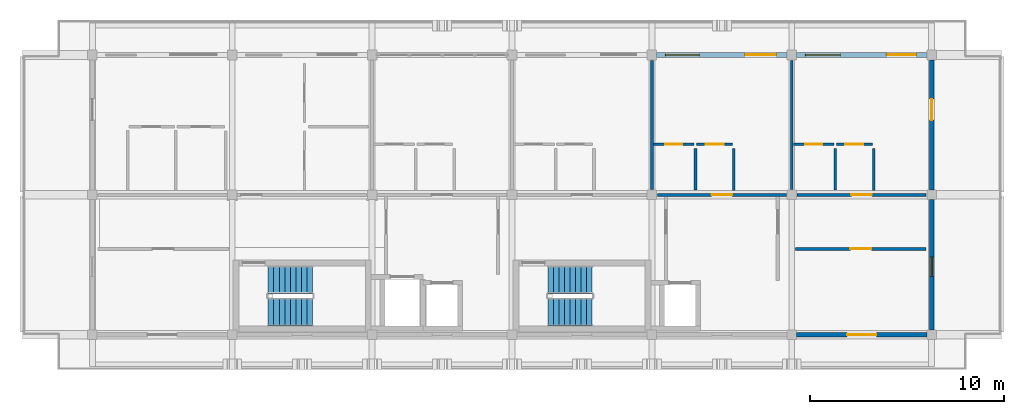
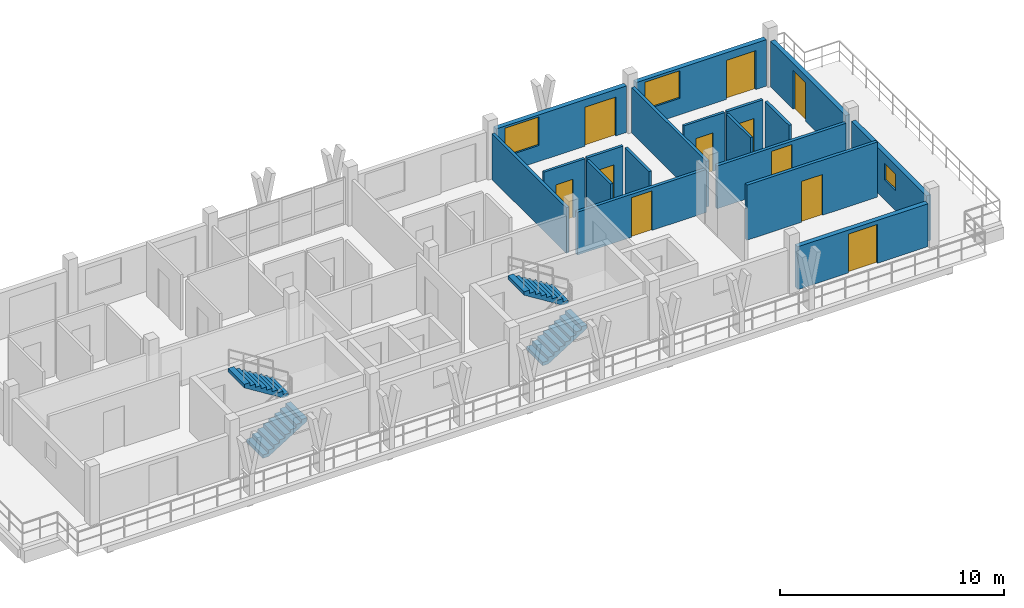
# One storey, part 6 of 9: 18 walls, 11 doors, 4 stair flights, 3 windows, 14 openings, 2 elements without a shape of their own.
"""IFC4 building model written with IfcOpenShell, lengths in metres."""

from ifc_helpers import new_model, si_unit, direction, frame, frame_2d, origin, place, context, subcontext, project, spatial, polyline, rectangle, outline, extrude, material, layer, layer_set, type_object, element, fill, aggregate, save


model = new_model("IFC4")

# Units and contexts
model_context = context("Model", 3, precision=1e-05, world=origin(), true_north=direction((0.0, 1.0)))
body_context = subcontext(model_context, "Body", "Model", "MODEL_VIEW")
ifc_project = project(units=[si_unit("LENGTHUNIT", "METRE"), si_unit("AREAUNIT", "SQUARE_METRE"), si_unit("VOLUMEUNIT", "CUBIC_METRE"), si_unit("PLANEANGLEUNIT", "RADIAN"), si_unit("MASSUNIT", "GRAM", prefix="KILO")], contexts=[model_context])

# Site, building, storey
site_placement = place(None, origin())
site = spatial("IfcSite", under=ifc_project, at=site_placement, CompositionType="ELEMENT")
building_placement = place(site_placement, origin())
building = spatial("IfcBuilding", under=site, at=building_placement, Name="Suanplinth Sawtooth Commons", CompositionType="ELEMENT")
storey_placement = place(building_placement, frame((0.0, 0.0, 47.699951171875)))
storey = spatial("IfcBuildingStorey", under=building, at=storey_placement, Name="L14", CompositionType="ELEMENT", Elevation=47.699951171875)

# Wall, openings, door, window
ifc_material_1 = material(Name="Precast concrete C40/50", Category="concrete")
ifc_layer_1 = layer(ifc_material_1, 0.239990234375, Name="Upper insulated precast facade wall 240mm")
ifc_layer_set_1 = layer_set([ifc_layer_1], Name="Precast concrete C40/50")
wall_type_1 = type_object("IfcWallType", Name="W-EX03", PredefinedType="ELEMENTEDWALL", material=ifc_layer_set_1)
wall_1_placement = place(storey_placement, frame((65.050048828125, 122.39990234375, 0.0), z_axis=(0.0, 0.0, 1.0), x_axis=(1.0, 0.0, 0.0)))
wall_1 = element("IfcWall", 1, at=wall_1_placement, inside=storey, type_object=wall_type_1, Name="Facade Wall W-L14-A-N-4", PredefinedType="ELEMENTEDWALL", context=body_context, shape_type="SweptSolid", body=[
    extrude(rectangle(XDim=6.699951171875, YDim=0.239990234375, at=frame_2d((3.35009765625, 0.0))), origin(), (0.0, 0.0, 1.0), 2.53515625),
])
opening_1_placement = place(wall_1_placement, frame((4.550048828125, 0.0, 0.0)))
opening_1 = element("IfcOpeningElement", 2, at=opening_1_placement, cuts=wall_1, Name="Opening ED0849", PredefinedType="OPENING", context=body_context, shape_type="SweptSolid", body=[
    extrude(rectangle(XDim=1.60009765625, YDim=2.1201171875, at=frame_2d((0.800048828125, 1.06005859375))), frame((0.0, 0.134765625, 0.0), z_axis=(0.0, -1.0, 0.0), x_axis=(1.0, 0.0, 0.0)), (0.0, 0.0, 1.0), 0.269775390625),
])
opening_2_placement = place(wall_1_placement, frame((0.449951171875, 0.0, 0.875)))
opening_2 = element("IfcOpeningElement", 3, at=opening_2_placement, cuts=wall_1, Name="Opening W0933", PredefinedType="OPENING", context=body_context, shape_type="SweptSolid", body=[
    extrude(rectangle(XDim=1.75, YDim=1.550048828125, at=frame_2d((0.875, 0.77490234375))), frame((0.0, 0.134765625, 0.0), z_axis=(0.0, -1.0, 0.0), x_axis=(1.0, 0.0, 0.0)), (0.0, 0.0, 1.0), 0.269775390625),
])
ifc_material_2 = material(Name="Anodized aluminium and low-E glass", Category="aluminium")
door_type_1 = type_object("IfcDoorType", Name="SD-02", OperationType="SLIDING_TO_RIGHT", PredefinedType="DOOR", material=ifc_material_2)
door_1_placement = place(opening_1_placement, frame((1.60009765625, 0.0, 0.0), z_axis=(0.0, 0.0, 1.0), x_axis=(-1.0, 0.0, 0.0)))
door_1 = element("IfcDoor", 4, at=door_1_placement, inside=storey, type_object=door_type_1, Name="Balcony Sliding Door L14-A-N-4", OperationType="SLIDING_TO_RIGHT", OverallHeight=2.1201171875, OverallWidth=1.60009765625, PredefinedType="DOOR", context=body_context, shape_type="SweptSolid", body=[
    extrude(rectangle(XDim=1.60009765625, YDim=2.1201171875, at=frame_2d((0.800048828125, 1.06005859375))), frame((0.0, 0.02490234375, 0.0), z_axis=(0.0, -1.0, 0.0), x_axis=(1.0, 0.0, 0.0)), (0.0, 0.0, 1.0), 0.050048828125),
])
fill(opening_1, door_1)
ifc_material_3 = material(Name="Thermally broken aluminium and low-E double glazing", Category="aluminium")
window_type_1 = type_object("IfcWindowType", Name="WN-26", PartitioningType="DOUBLE_PANEL_VERTICAL", PredefinedType="WINDOW", material=ifc_material_3)
window_1_placement = place(opening_2_placement, origin())
window_1 = element("IfcWindow", 5, at=window_1_placement, inside=storey, type_object=window_type_1, Name="Window L14-A-N-4", OverallHeight=1.550048828125, OverallWidth=1.75, PartitioningType="DOUBLE_PANEL_VERTICAL", PredefinedType="WINDOW", context=body_context, shape_type="SweptSolid", body=[
    extrude(rectangle(XDim=1.75, YDim=1.550048828125, at=frame_2d((0.875, 0.77490234375))), frame((0.0, 0.030029296875, 0.0), z_axis=(0.0, -1.0, 0.0), x_axis=(1.0, 0.0, 0.0)), (0.0, 0.0, 1.0), 0.06005859375),
])
fill(opening_2, window_1)

wall_2_placement = place(storey_placement, frame((72.25, 122.39990234375, 0.0), z_axis=(0.0, 0.0, 1.0), x_axis=(1.0, 0.0, 0.0)))
wall_2 = element("IfcWall", 6, at=wall_2_placement, inside=storey, type_object=wall_type_1, Name="Facade Wall W-L14-A-N-5", PredefinedType="ELEMENTEDWALL", context=body_context, shape_type="SweptSolid", body=[
    extrude(rectangle(XDim=6.699951171875, YDim=0.239990234375, at=frame_2d((3.35009765625, 0.0))), origin(), (0.0, 0.0, 1.0), 2.53515625),
])
opening_3_placement = place(wall_2_placement, frame((4.64990234375, 0.0, 0.0)))
opening_3 = element("IfcOpeningElement", 7, at=opening_3_placement, cuts=wall_2, Name="Opening ED0850", PredefinedType="OPENING", context=body_context, shape_type="SweptSolid", body=[
    extrude(rectangle(XDim=1.5, YDim=2.1201171875, at=frame_2d((0.75, 1.06005859375))), frame((0.0, 0.134765625, 0.0), z_axis=(0.0, -1.0, 0.0), x_axis=(1.0, 0.0, 0.0)), (0.0, 0.0, 1.0), 0.269775390625),
])
opening_4_placement = place(wall_2_placement, frame((0.449951171875, 0.0, 0.89990234375)))
opening_4 = element("IfcOpeningElement", 8, at=opening_4_placement, cuts=wall_2, Name="Opening W0935", PredefinedType="OPENING", context=body_context, shape_type="SweptSolid", body=[
    extrude(rectangle(XDim=1.800048828125, YDim=1.5, at=frame_2d((0.89990234375, 0.75))), frame((0.0, 0.134765625, 0.0), z_axis=(0.0, -1.0, 0.0), x_axis=(1.0, 0.0, 0.0)), (0.0, 0.0, 1.0), 0.269775390625),
])
door_type_2 = type_object("IfcDoorType", Name="SD-03", OperationType="SLIDING_TO_LEFT", PredefinedType="DOOR", material=ifc_material_2)
door_2_placement = place(opening_3_placement, frame((1.5, 0.0, 0.0), z_axis=(0.0, 0.0, 1.0), x_axis=(-1.0, 0.0, 0.0)))
door_2 = element("IfcDoor", 9, at=door_2_placement, inside=storey, type_object=door_type_2, Name="Balcony Sliding Door L14-A-N-5", OperationType="SLIDING_TO_LEFT", OverallHeight=2.1201171875, OverallWidth=1.5, PredefinedType="DOOR", context=body_context, shape_type="SweptSolid", body=[
    extrude(rectangle(XDim=1.5, YDim=2.1201171875, at=frame_2d((0.75, 1.06005859375))), frame((0.0, 0.02490234375, 0.0), z_axis=(0.0, -1.0, 0.0), x_axis=(1.0, 0.0, 0.0)), (0.0, 0.0, 1.0), 0.050048828125),
])
fill(opening_3, door_2)
window_type_2 = type_object("IfcWindowType", Name="WN-01", PartitioningType="DOUBLE_PANEL_VERTICAL", PredefinedType="WINDOW", material=ifc_material_3)
window_2_placement = place(opening_4_placement, origin())
window_2 = element("IfcWindow", 10, at=window_2_placement, inside=storey, type_object=window_type_2, Name="Window L14-A-N-5", OverallHeight=1.5, OverallWidth=1.800048828125, PartitioningType="DOUBLE_PANEL_VERTICAL", PredefinedType="WINDOW", context=body_context, shape_type="SweptSolid", body=[
    extrude(rectangle(XDim=1.800048828125, YDim=1.5, at=frame_2d((0.89990234375, 0.75))), frame((0.0, 0.030029296875, 0.0), z_axis=(0.0, -1.0, 0.0), x_axis=(1.0, 0.0, 0.0)), (0.0, 0.0, 1.0), 0.06005859375),
])
fill(opening_4, window_2)

# Wall, opening, door
wall_3_placement = place(storey_placement, frame((72.25, 108.0, 0.0), z_axis=(0.0, 0.0, 1.0), x_axis=(1.0, 0.0, 0.0)))
wall_3 = element("IfcWall", 11, at=wall_3_placement, inside=storey, type_object=wall_type_1, Name="Courtyard Wall W-L14-A-S-5", PredefinedType="ELEMENTEDWALL", context=body_context, shape_type="SweptSolid", body=[
    extrude(rectangle(XDim=6.699951171875, YDim=0.239990234375, at=frame_2d((3.35009765625, 0.0))), origin(), (0.0, 0.0, 1.0), 2.3349609375),
])
opening_5_placement = place(wall_3_placement, frame((2.60009765625, 0.0, 0.0)))
opening_5 = element("IfcOpeningElement", 12, at=opening_5_placement, cuts=wall_3, Name="Opening ED0851", PredefinedType="OPENING", context=body_context, shape_type="SweptSolid", body=[
    extrude(rectangle(XDim=1.5, YDim=2.1201171875, at=frame_2d((0.75, 1.06005859375))), frame((0.0, 0.134765625, 0.0), z_axis=(0.0, -1.0, 0.0), x_axis=(1.0, 0.0, 0.0)), (0.0, 0.0, 1.0), 0.269775390625),
])
door_3_placement = place(opening_5_placement, frame((1.5, 0.0, 0.0), z_axis=(0.0, 0.0, 1.0), x_axis=(-1.0, 0.0, 0.0)))
door_3 = element("IfcDoor", 13, at=door_3_placement, inside=storey, type_object=door_type_2, Name="Courtyard Balcony Sliding Door L14-A-S-5", OperationType="SLIDING_TO_LEFT", OverallHeight=2.1201171875, OverallWidth=1.5, PredefinedType="DOOR", context=body_context, shape_type="SweptSolid", body=[
    extrude(rectangle(XDim=1.5, YDim=2.1201171875, at=frame_2d((0.75, 1.06005859375))), frame((0.0, 0.02490234375, 0.0), z_axis=(0.0, -1.0, 0.0), x_axis=(1.0, 0.0, 0.0)), (0.0, 0.0, 1.0), 0.050048828125),
])
fill(opening_5, door_3)

# Wall, opening, window
ifc_layer_2 = layer(ifc_material_1, 0.22998046875, Name="Stepped terrace insulated precast wall 230mm")
ifc_layer_set_2 = layer_set([ifc_layer_2], Name="Precast concrete C40/50")
wall_type_2 = type_object("IfcWallType", Name="W-EX06", PredefinedType="ELEMENTEDWALL", material=ifc_layer_set_2)
wall_4_placement = place(storey_placement, frame((79.199951171875, 108.25, 0.0), z_axis=(0.0, 0.0, 1.0), x_axis=(0.0, 1.0, 0.0)))
wall_4 = element("IfcWall", 14, at=wall_4_placement, inside=storey, type_object=wall_type_2, Name="End Wall W-L14-A-E-15", PredefinedType="ELEMENTEDWALL", context=body_context, shape_type="SweptSolid", body=[
    extrude(rectangle(XDim=6.699951171875, YDim=0.22998046875, at=frame_2d((3.35009765625, 0.0))), origin(), (0.0, 0.0, 1.0), 2.485107421875),
])
opening_6_placement = place(wall_4_placement, frame((2.75, 0.0, 1.10009765625)))
opening_6 = element("IfcOpeningElement", 15, at=opening_6_placement, cuts=wall_4, Name="Opening W0937", PredefinedType="OPENING", context=body_context, shape_type="SweptSolid", body=[
    extrude(rectangle(XDim=1.0, YDim=0.89990234375, at=frame_2d((0.5, 0.449951171875))), frame((0.0, 0.1298828125, 0.0), z_axis=(0.0, -1.0, 0.0), x_axis=(1.0, 0.0, 0.0)), (0.0, 0.0, 1.0), 0.259765625),
])
window_type_3 = type_object("IfcWindowType", Name="WN-12", PartitioningType="SINGLE_PANEL", PredefinedType="WINDOW", material=ifc_material_3)
window_3_placement = place(opening_6_placement, origin())
window_3 = element("IfcWindow", 16, at=window_3_placement, inside=storey, type_object=window_type_3, Name="End Window L14-A-E-15", OverallHeight=0.89990234375, OverallWidth=1.0, PartitioningType="SINGLE_PANEL", PredefinedType="WINDOW", context=body_context, shape_type="SweptSolid", body=[
    extrude(rectangle(XDim=1.0, YDim=0.89990234375, at=frame_2d((0.5, 0.449951171875))), frame((0.0, 0.030029296875, 0.0), z_axis=(0.0, -1.0, 0.0), x_axis=(1.0, 0.0, 0.0)), (0.0, 0.0, 1.0), 0.06005859375),
])
fill(opening_6, window_3)

# Wall, opening, door
wall_5_placement = place(storey_placement, frame((79.199951171875, 115.449951171875, 0.0), z_axis=(0.0, 0.0, 1.0), x_axis=(0.0, 1.0, 0.0)))
wall_5 = element("IfcWall", 17, at=wall_5_placement, inside=storey, type_object=wall_type_2, Name="End Wall W-L14-A-E-16", PredefinedType="ELEMENTEDWALL", context=body_context, shape_type="SweptSolid", body=[
    extrude(rectangle(XDim=6.699951171875, YDim=0.22998046875, at=frame_2d((3.35009765625, 0.0))), origin(), (0.0, 0.0, 1.0), 2.485107421875),
])
opening_7_placement = place(wall_5_placement, frame((3.60009765625, 0.0, 0.0)))
opening_7 = element("IfcOpeningElement", 18, at=opening_7_placement, cuts=wall_5, Name="Opening ED0853", PredefinedType="OPENING", context=body_context, shape_type="SweptSolid", body=[
    extrude(rectangle(XDim=1.080078125, YDim=2.1201171875, at=frame_2d((0.5400390625, 1.06005859375))), frame((0.0, 0.1298828125, 0.0), z_axis=(0.0, -1.0, 0.0), x_axis=(1.0, 0.0, 0.0)), (0.0, 0.0, 1.0), 0.259765625),
])
door_type_3 = type_object("IfcDoorType", Name="ED-10", OperationType="NOTDEFINED", PredefinedType="DOOR", material=ifc_material_2)
door_4_placement = place(opening_7_placement, frame((1.080078125, 0.0, 0.0), z_axis=(0.0, 0.0, 1.0), x_axis=(-1.0, 0.0, 0.0)))
door_4 = element("IfcDoor", 19, at=door_4_placement, inside=storey, type_object=door_type_3, Name="L14 Block A E Stepped Terrace Door", OperationType="SINGLE_SWING_LEFT", OverallHeight=2.1201171875, OverallWidth=1.080078125, PredefinedType="DOOR", context=body_context, shape_type="SweptSolid", body=[
    extrude(rectangle(XDim=1.080078125, YDim=2.1201171875, at=frame_2d((0.5400390625, 1.06005859375))), frame((0.0, 0.02490234375, 0.0), z_axis=(0.0, -1.0, 0.0), x_axis=(1.0, 0.0, 0.0)), (0.0, 0.0, 1.0), 0.050048828125),
])
fill(opening_7, door_4)

ifc_layer_3 = layer(ifc_material_1, 0.159912109375, Name="Fire-rated corridor and lobby wall 160mm")
ifc_layer_set_3 = layer_set([ifc_layer_3], Name="Precast concrete C40/50")
wall_type_3 = type_object("IfcWallType", Name="W-FW01", PredefinedType="PARTITIONING", material=ifc_layer_set_3)
wall_6_placement = place(storey_placement, frame((65.080078125, 115.199951171875, 0.0), z_axis=(0.0, 0.0, 1.0), x_axis=(1.0, 0.0, 0.0)))
wall_6 = element("IfcWall", 20, at=wall_6_placement, inside=storey, type_object=wall_type_3, Name="W-A-L14-U04-COR", PredefinedType="PARTITIONING", context=body_context, shape_type="SweptSolid", body=[
    extrude(rectangle(XDim=6.639892578125, YDim=0.159912109375, at=frame_2d((3.31982421875, 0.0))), origin(), (0.0, 0.0, 1.0), 2.3349609375),
])
opening_8_placement = place(wall_6_placement, frame((2.794921875, 0.0, 0.0)))
opening_8 = element("IfcOpeningElement", 21, at=opening_8_placement, cuts=wall_6, Name="Opening FD2066", PredefinedType="OPENING", context=body_context, shape_type="SweptSolid", body=[
    extrude(rectangle(XDim=1.050048828125, YDim=2.14990234375, at=frame_2d((0.52490234375, 1.074951171875))), frame((0.0, 0.0947265625, 0.0), z_axis=(0.0, -1.0, 0.0), x_axis=(1.0, 0.0, 0.0)), (0.0, 0.0, 1.0), 0.189697265625),
])
ifc_material_4 = material(Name="Teak hardwood fire-rated door assembly", Category="wood")
door_type_4 = type_object("IfcDoorType", Name="FD-04", OperationType="NOTDEFINED", PredefinedType="DOOR", material=ifc_material_4)
door_5_placement = place(opening_8_placement, origin())
door_5 = element("IfcDoor", 22, at=door_5_placement, inside=storey, type_object=door_type_4, Name="Unit Entrance Door FD2066", OperationType="SINGLE_SWING_RIGHT", OverallHeight=2.14990234375, OverallWidth=1.050048828125, PredefinedType="DOOR", context=body_context, shape_type="SweptSolid", body=[
    extrude(rectangle(XDim=1.050048828125, YDim=2.14990234375, at=frame_2d((0.52490234375, 1.074951171875))), frame((0.0, 0.02490234375, 0.0), z_axis=(0.0, -1.0, 0.0), x_axis=(1.0, 0.0, 0.0)), (0.0, 0.0, 1.0), 0.050048828125),
])
fill(opening_8, door_5)

wall_7_placement = place(storey_placement, frame((72.280029296875, 115.199951171875, 0.0), z_axis=(0.0, 0.0, 1.0), x_axis=(1.0, 0.0, 0.0)))
wall_7 = element("IfcWall", 23, at=wall_7_placement, inside=storey, type_object=wall_type_3, Name="W-A-L14-U05-COR", PredefinedType="PARTITIONING", context=body_context, shape_type="SweptSolid", body=[
    extrude(rectangle(XDim=6.639892578125, YDim=0.159912109375, at=frame_2d((3.31982421875, 0.0))), origin(), (0.0, 0.0, 1.0), 2.3349609375),
])
opening_9_placement = place(wall_7_placement, frame((2.794921875, 0.0, 0.0)))
opening_9 = element("IfcOpeningElement", 24, at=opening_9_placement, cuts=wall_7, Name="Opening FD2069", PredefinedType="OPENING", context=body_context, shape_type="SweptSolid", body=[
    extrude(rectangle(XDim=1.050048828125, YDim=2.14990234375, at=frame_2d((0.52490234375, 1.074951171875))), frame((0.0, 0.0947265625, 0.0), z_axis=(0.0, -1.0, 0.0), x_axis=(1.0, 0.0, 0.0)), (0.0, 0.0, 1.0), 0.189697265625),
])
door_6_placement = place(opening_9_placement, origin())
door_6 = element("IfcDoor", 25, at=door_6_placement, inside=storey, type_object=door_type_4, Name="Unit Entrance Door FD2069", OperationType="SINGLE_SWING_LEFT", OverallHeight=2.14990234375, OverallWidth=1.050048828125, PredefinedType="DOOR", context=body_context, shape_type="SweptSolid", body=[
    extrude(rectangle(XDim=1.050048828125, YDim=2.14990234375, at=frame_2d((0.52490234375, 1.074951171875))), frame((0.0, 0.02490234375, 0.0), z_axis=(0.0, -1.0, 0.0), x_axis=(1.0, 0.0, 0.0)), (0.0, 0.0, 1.0), 0.050048828125),
])
fill(opening_9, door_6)

wall_8_placement = place(storey_placement, frame((72.199951171875, 112.419921875, 0.0), z_axis=(0.0, 0.0, 1.0), x_axis=(1.0, 0.0, 0.0)))
wall_8 = element("IfcWall", 26, at=wall_8_placement, inside=storey, type_object=wall_type_3, Name="W-A-L14-COURTROOM-6-COR", PredefinedType="PARTITIONING", context=body_context, shape_type="SweptSolid", body=[
    extrude(rectangle(XDim=6.719970703125, YDim=0.159912109375, at=frame_2d((3.35986328125, 0.0))), origin(), (0.0, 0.0, 1.0), 3.0),
])
opening_10_placement = place(wall_8_placement, frame((2.820068359375, 0.0, 0.0)))
opening_10 = element("IfcOpeningElement", 27, at=opening_10_placement, cuts=wall_8, Name="Opening D2073", PredefinedType="OPENING", context=body_context, shape_type="SweptSolid", body=[
    extrude(rectangle(XDim=1.080078125, YDim=2.219970703125, at=frame_2d((0.5400390625, 1.10986328125))), frame((0.0, 0.0947265625, 0.0), z_axis=(0.0, -1.0, 0.0), x_axis=(1.0, 0.0, 0.0)), (0.0, 0.0, 1.0), 0.189697265625),
])
ifc_material_5 = material(Name="Teak hardwood", Category="wood")
door_type_5 = type_object("IfcDoorType", Name="D-17", OperationType="NOTDEFINED", PredefinedType="DOOR", material=ifc_material_5)
door_7_placement = place(opening_10_placement, frame((1.080078125, 0.0, 0.0), z_axis=(0.0, 0.0, 1.0), x_axis=(-1.0, 0.0, 0.0)))
door_7 = element("IfcDoor", 28, at=door_7_placement, inside=storey, type_object=door_type_5, Name="Study Studio Door D2073", OperationType="SINGLE_SWING_LEFT", OverallHeight=2.219970703125, OverallWidth=1.080078125, PredefinedType="DOOR", context=body_context, shape_type="SweptSolid", body=[
    extrude(rectangle(XDim=1.080078125, YDim=2.219970703125, at=frame_2d((0.5400390625, 1.10986328125))), frame((0.0, 0.02490234375, 0.0), z_axis=(0.0, -1.0, 0.0), x_axis=(1.0, 0.0, 0.0)), (0.0, 0.0, 1.0), 0.050048828125),
])
fill(opening_10, door_7)

# Walls
ifc_layer_4 = layer(ifc_material_1, 0.14990234375, Name="Acoustic precast party demising wall 150mm")
ifc_layer_set_4 = layer_set([ifc_layer_4], Name="Precast concrete C40/50")
wall_type_4 = type_object("IfcWallType", Name="W-FW02", PredefinedType="PARTITIONING", material=ifc_layer_set_4)
for number, where, z_axis, x_axis, name in (
    (29, (64.800048828125, 115.47998046875, 0.0), (0.0, 0.0, 1.0), (0.0, 1.0, 0.0), "W-A-L14-U03-PTY"),
    (30, (72.0, 115.47998046875, 0.0), (0.0, 0.0, 1.0), (0.0, 1.0, 0.0), "W-A-L14-U04-PTY"),
):
    element("IfcWall", number, at=place(storey_placement, frame(where, z_axis=z_axis, x_axis=x_axis)), inside=storey, type_object=wall_type_4, Name=name, PredefinedType="PARTITIONING", context=body_context, shape_type="SweptSolid", body=[
        extrude(rectangle(XDim=6.64013671875, YDim=0.14990234375, at=frame_2d((3.320068359375, 0.0))), origin(), (0.0, 0.0, 1.0), 2.485107421875),
    ])

# Wall, opening, door
ifc_material_6 = material(Name="Gypsum plasterboard on steel stud", Category="steel")
ifc_layer_5 = layer(ifc_material_6, 0.139892578125, Name="Fire-rated kitchen partition 140mm")
ifc_layer_set_5 = layer_set([ifc_layer_5], Name="Gypsum plasterboard on steel stud")
wall_type_5 = type_object("IfcWallType", Name="W-PT01", PredefinedType="PARTITIONING", material=ifc_layer_set_5)
wall_9_placement = place(storey_placement, frame((67.10009765625, 117.800048828125, 0.0), z_axis=(0.0, 0.0, 1.0), x_axis=(1.0, 0.0, 0.0)))
wall_9 = element("IfcWall", 31, at=wall_9_placement, inside=storey, type_object=wall_type_5, Name="W-A-L14-U04-KIT1", PredefinedType="PARTITIONING", context=body_context, shape_type="SweptSolid", body=[
    extrude(rectangle(XDim=1.849853515625, YDim=0.139892578125, at=frame_2d((0.9248046875, 0.0))), origin(), (0.0, 0.0, 1.0), 3.0),
])
opening_11_placement = place(wall_9_placement, frame((0.4599609375, 0.0, 0.0)))
opening_11 = element("IfcOpeningElement", 32, at=opening_11_placement, cuts=wall_9, Name="Opening D2068", PredefinedType="OPENING", context=body_context, shape_type="SweptSolid", body=[
    extrude(rectangle(XDim=0.929931640625, YDim=2.139892578125, at=frame_2d((0.46484375, 1.06982421875))), frame((0.0, 0.0849609375, 0.0), z_axis=(0.0, -1.0, 0.0), x_axis=(1.0, 0.0, 0.0)), (0.0, 0.0, 1.0), 0.169677734375),
])
door_type_6 = type_object("IfcDoorType", Name="D-19", OperationType="NOTDEFINED", PredefinedType="DOOR", material=ifc_material_5)
door_8_placement = place(opening_11_placement, frame((0.929931640625, 0.0, 0.0), z_axis=(0.0, 0.0, 1.0), x_axis=(-1.0, 0.0, 0.0)))
door_8 = element("IfcDoor", 33, at=door_8_placement, inside=storey, type_object=door_type_6, Name="Kitchen Door D2068", OperationType="SINGLE_SWING_RIGHT", OverallHeight=2.139892578125, OverallWidth=0.929931640625, PredefinedType="DOOR", context=body_context, shape_type="SweptSolid", body=[
    extrude(rectangle(XDim=0.929931640625, YDim=2.139892578125, at=frame_2d((0.46484375, 1.06982421875))), frame((0.0, 0.02490234375, 0.0), z_axis=(0.0, -1.0, 0.0), x_axis=(1.0, 0.0, 0.0)), (0.0, 0.0, 1.0), 0.050048828125),
])
fill(opening_11, door_8)

# Wall
wall_10_placement = place(storey_placement, frame((69.02001953125, 115.429931640625, 0.0), z_axis=(0.0, 0.0, 1.0), x_axis=(0.0, 1.0, 0.0)))
element("IfcWall", 34, at=wall_10_placement, inside=storey, type_object=wall_type_5, Name="W-A-L14-U04-KIT2", PredefinedType="PARTITIONING", context=body_context, shape_type="SweptSolid", body=[
    extrude(rectangle(XDim=2.150146484375, YDim=0.139892578125, at=frame_2d((1.0751953125, 0.0))), origin(), (0.0, 0.0, 1.0), 3.0),
])

# Wall, opening, door
wall_11_placement = place(storey_placement, frame((74.300048828125, 117.800048828125, 0.0), z_axis=(0.0, 0.0, 1.0), x_axis=(1.0, 0.0, 0.0)))
wall_11 = element("IfcWall", 35, at=wall_11_placement, inside=storey, type_object=wall_type_5, Name="W-A-L14-U05-KIT1", PredefinedType="PARTITIONING", context=body_context, shape_type="SweptSolid", body=[
    extrude(rectangle(XDim=1.849853515625, YDim=0.139892578125, at=frame_2d((0.9248046875, 0.0))), origin(), (0.0, 0.0, 1.0), 3.0),
])
opening_12_placement = place(wall_11_placement, frame((0.4599609375, 0.0, 0.0)))
opening_12 = element("IfcOpeningElement", 36, at=opening_12_placement, cuts=wall_11, Name="Opening D2071", PredefinedType="OPENING", context=body_context, shape_type="SweptSolid", body=[
    extrude(rectangle(XDim=0.929931640625, YDim=2.139892578125, at=frame_2d((0.46484375, 1.06982421875))), frame((0.0, 0.0849609375, 0.0), z_axis=(0.0, -1.0, 0.0), x_axis=(1.0, 0.0, 0.0)), (0.0, 0.0, 1.0), 0.169677734375),
])
door_9_placement = place(opening_12_placement, frame((0.929931640625, 0.0, 0.0), z_axis=(0.0, 0.0, 1.0), x_axis=(-1.0, 0.0, 0.0)))
door_9 = element("IfcDoor", 37, at=door_9_placement, inside=storey, type_object=door_type_6, Name="Kitchen Door D2071", OperationType="SINGLE_SWING_LEFT", OverallHeight=2.139892578125, OverallWidth=0.929931640625, PredefinedType="DOOR", context=body_context, shape_type="SweptSolid", body=[
    extrude(rectangle(XDim=0.929931640625, YDim=2.139892578125, at=frame_2d((0.46484375, 1.06982421875))), frame((0.0, 0.02490234375, 0.0), z_axis=(0.0, -1.0, 0.0), x_axis=(1.0, 0.0, 0.0)), (0.0, 0.0, 1.0), 0.050048828125),
])
fill(opening_12, door_9)

# Wall
wall_12_placement = place(storey_placement, frame((76.219970703125, 115.429931640625, 0.0), z_axis=(0.0, 0.0, 1.0), x_axis=(0.0, 1.0, 0.0)))
element("IfcWall", 38, at=wall_12_placement, inside=storey, type_object=wall_type_5, Name="W-A-L14-U05-KIT2", PredefinedType="PARTITIONING", context=body_context, shape_type="SweptSolid", body=[
    extrude(rectangle(XDim=2.150146484375, YDim=0.139892578125, at=frame_2d((1.0751953125, 0.0))), origin(), (0.0, 0.0, 1.0), 3.0),
])

# Wall, opening, door
ifc_layer_6 = layer(ifc_material_6, 0.1298828125, Name="Moisture-resistant bathroom partition 130mm")
ifc_layer_set_6 = layer_set([ifc_layer_6], Name="Gypsum plasterboard on steel stud")
wall_type_6 = type_object("IfcWallType", Name="W-PT02", PredefinedType="PARTITIONING", material=ifc_layer_set_6)
wall_13_placement = place(storey_placement, frame((64.8798828125, 117.794921875, 0.0), z_axis=(0.0, 0.0, 1.0), x_axis=(1.0, 0.0, 0.0)))
wall_13 = element("IfcWall", 39, at=wall_13_placement, inside=storey, type_object=wall_type_6, Name="W-A-L14-U04-BTH1", PredefinedType="PARTITIONING", context=body_context, shape_type="SweptSolid", body=[
    extrude(rectangle(XDim=2.10009765625, YDim=0.1298828125, at=frame_2d((1.050048828125, 0.0))), origin(), (0.0, 0.0, 1.0), 3.0),
])
opening_13_placement = place(wall_13_placement, frame((0.610107421875, 0.0, 0.0)))
opening_13 = element("IfcOpeningElement", 40, at=opening_13_placement, cuts=wall_13, Name="Opening D2067", PredefinedType="OPENING", context=body_context, shape_type="SweptSolid", body=[
    extrude(rectangle(XDim=0.8798828125, YDim=2.10009765625, at=frame_2d((0.43994140625, 1.050048828125))), frame((0.0, 0.079833984375, 0.0), z_axis=(0.0, -1.0, 0.0), x_axis=(1.0, 0.0, 0.0)), (0.0, 0.0, 1.0), 0.15966796875),
])
door_type_7 = type_object("IfcDoorType", Name="D-14", OperationType="NOTDEFINED", PredefinedType="DOOR", material=ifc_material_5)
door_10_placement = place(opening_13_placement, frame((0.8798828125, 0.0, 0.0), z_axis=(0.0, 0.0, 1.0), x_axis=(-1.0, 0.0, 0.0)))
door_10 = element("IfcDoor", 41, at=door_10_placement, inside=storey, type_object=door_type_7, Name="Bathroom Door D2067", OperationType="SINGLE_SWING_LEFT", OverallHeight=2.10009765625, OverallWidth=0.8798828125, PredefinedType="DOOR", context=body_context, shape_type="SweptSolid", body=[
    extrude(rectangle(XDim=0.8798828125, YDim=2.10009765625, at=frame_2d((0.43994140625, 1.050048828125))), frame((0.0, 0.02490234375, 0.0), z_axis=(0.0, -1.0, 0.0), x_axis=(1.0, 0.0, 0.0)), (0.0, 0.0, 1.0), 0.050048828125),
])
fill(opening_13, door_10)

# Wall
wall_14_placement = place(storey_placement, frame((67.044921875, 115.4599609375, 0.0), z_axis=(0.0, 0.0, 1.0), x_axis=(0.0, 1.0, 0.0)))
element("IfcWall", 42, at=wall_14_placement, inside=storey, type_object=wall_type_6, Name="W-A-L14-U04-BTH2", PredefinedType="PARTITIONING", context=body_context, shape_type="SweptSolid", body=[
    extrude(rectangle(XDim=2.130126953125, YDim=0.1298828125, at=frame_2d((1.06494140625, 0.0))), origin(), (0.0, 0.0, 1.0), 3.0),
])

# Wall, opening, door
wall_15_placement = place(storey_placement, frame((72.080078125, 117.794921875, 0.0), z_axis=(0.0, 0.0, 1.0), x_axis=(1.0, 0.0, 0.0)))
wall_15 = element("IfcWall", 43, at=wall_15_placement, inside=storey, type_object=wall_type_6, Name="W-A-L14-U05-BTH1", PredefinedType="PARTITIONING", context=body_context, shape_type="SweptSolid", body=[
    extrude(rectangle(XDim=2.099853515625, YDim=0.1298828125, at=frame_2d((1.0498046875, 0.0))), origin(), (0.0, 0.0, 1.0), 3.0),
])
opening_14_placement = place(wall_15_placement, frame((0.610107421875, 0.0, 0.0)))
opening_14 = element("IfcOpeningElement", 44, at=opening_14_placement, cuts=wall_15, Name="Opening D2070", PredefinedType="OPENING", context=body_context, shape_type="SweptSolid", body=[
    extrude(rectangle(XDim=0.8798828125, YDim=2.10009765625, at=frame_2d((0.43994140625, 1.050048828125))), frame((0.0, 0.079833984375, 0.0), z_axis=(0.0, -1.0, 0.0), x_axis=(1.0, 0.0, 0.0)), (0.0, 0.0, 1.0), 0.15966796875),
])
door_11_placement = place(opening_14_placement, frame((0.8798828125, 0.0, 0.0), z_axis=(0.0, 0.0, 1.0), x_axis=(-1.0, 0.0, 0.0)))
door_11 = element("IfcDoor", 45, at=door_11_placement, inside=storey, type_object=door_type_7, Name="Bathroom Door D2070", OperationType="SINGLE_SWING_RIGHT", OverallHeight=2.10009765625, OverallWidth=0.8798828125, PredefinedType="DOOR", context=body_context, shape_type="SweptSolid", body=[
    extrude(rectangle(XDim=0.8798828125, YDim=2.10009765625, at=frame_2d((0.43994140625, 1.050048828125))), frame((0.0, 0.02490234375, 0.0), z_axis=(0.0, -1.0, 0.0), x_axis=(1.0, 0.0, 0.0)), (0.0, 0.0, 1.0), 0.050048828125),
])
fill(opening_14, door_11)

# Wall
wall_16_placement = place(storey_placement, frame((74.2451171875, 115.4599609375, 0.0), z_axis=(0.0, 0.0, 1.0), x_axis=(0.0, 1.0, 0.0)))
element("IfcWall", 46, at=wall_16_placement, inside=storey, type_object=wall_type_6, Name="W-A-L14-U05-BTH2", PredefinedType="PARTITIONING", context=body_context, shape_type="SweptSolid", body=[
    extrude(rectangle(XDim=2.130126953125, YDim=0.1298828125, at=frame_2d((1.06494140625, 0.0))), origin(), (0.0, 0.0, 1.0), 3.0),
])

# Stair, stair flights
ifc_material_7 = material(Name="Concrete C40/50", Category="concrete")
stair_type = type_object("IfcStairType", Name="ST-03", PredefinedType="USERDEFINED", material=ifc_material_7)
stair_1_placement = place(storey_placement, origin())
stair_1 = element("IfcStair", 47, at=stair_1_placement, inside=storey, type_object=stair_type, Name="L14 Exit Stair ST-N1", ObjectType="TWO_RETURN_STAIR", PredefinedType="USERDEFINED")
stair_flight_type = type_object("IfcStairFlightType", Name="SF-04", PredefinedType="STRAIGHT", material=ifc_material_7)
stair_flight_1_placement = place(storey_placement, frame((45.050048828125, 109.175048828125, 0.0), z_axis=(0.0, 0.0, 1.0), x_axis=(1.0, 0.0, 0.0)))
stair_flight_1 = element("IfcStairFlight", 48, at=stair_flight_1_placement, type_object=stair_flight_type, Name="ST-03 flight 1", NumberOfRisers=9, NumberOfTreads=8, PredefinedType="STRAIGHT", RiserHeight=0.177777778, TreadLength=0.285, context=body_context, shape_type="SweptSolid", body=[
    extrude(outline(polyline([(0.0, 0.0), (0.0, 0.177734375), (0.284912109375, 0.177734375), (0.284912109375, 0.35546875), (0.570068359375, 0.35546875), (0.570068359375, 0.533447265625), (0.85498046875, 0.533447265625), (0.85498046875, 0.711181640625), (1.139892578125, 0.711181640625), (1.139892578125, 0.888916015625), (1.425048828125, 0.888916015625), (1.425048828125, 1.066650390625), (1.7099609375, 1.066650390625), (1.7099609375, 1.244384765625), (1.9951171875, 1.244384765625), (1.9951171875, 1.422119140625), (2.280029296875, 1.422119140625), (2.280029296875, 1.60009765625), (2.280029296875, 1.233642578125), (0.30224609375, 0.0), (0.0, 0.0)])), frame((0.0, 0.72509765625, 0.0), z_axis=(0.0, -1.0, 0.0), x_axis=(1.0, 0.0, 0.0)), (0.0, 0.0, 1.0), 1.449951171875),
])
stair_flight_2_placement = place(storey_placement, frame((47.330078125, 110.824951171875, 1.60009765625), z_axis=(0.0, 0.0, 1.0), x_axis=(-1.0, 0.0, 0.0)))
stair_flight_2 = element("IfcStairFlight", 49, at=stair_flight_2_placement, type_object=stair_flight_type, Name="ST-03 flight 2", NumberOfRisers=9, NumberOfTreads=8, PredefinedType="STRAIGHT", RiserHeight=0.177777778, TreadLength=0.285, context=body_context, shape_type="SweptSolid", body=[
    extrude(outline(polyline([(0.0, 0.0), (0.0, 0.177734375), (0.284912109375, 0.177734375), (0.284912109375, 0.35546875), (0.570068359375, 0.35546875), (0.570068359375, 0.533447265625), (0.85498046875, 0.533447265625), (0.85498046875, 0.711181640625), (1.139892578125, 0.711181640625), (1.139892578125, 0.888916015625), (1.425048828125, 0.888916015625), (1.425048828125, 1.066650390625), (1.7099609375, 1.066650390625), (1.7099609375, 1.244384765625), (1.9951171875, 1.244384765625), (1.9951171875, 1.422119140625), (2.280029296875, 1.422119140625), (2.280029296875, 1.60009765625), (2.280029296875, 1.233642578125), (0.30224609375, 0.0), (0.0, 0.0)])), frame((0.0, 0.72509765625, 0.0), z_axis=(0.0, -1.0, 0.0), x_axis=(1.0, 0.0, 0.0)), (0.0, 0.0, 1.0), 1.449951171875),
])
aggregate(stair_1, [stair_flight_1, stair_flight_2])

stair_2_placement = place(storey_placement, origin())
stair_2 = element("IfcStair", 50, at=stair_2_placement, inside=storey, type_object=stair_type, Name="L14 Exit Stair ST-N2", ObjectType="TWO_RETURN_STAIR", PredefinedType="USERDEFINED")
stair_flight_3_placement = place(storey_placement, frame((59.449951171875, 109.175048828125, 0.0), z_axis=(0.0, 0.0, 1.0), x_axis=(1.0, 0.0, 0.0)))
stair_flight_3 = element("IfcStairFlight", 51, at=stair_flight_3_placement, type_object=stair_flight_type, Name="ST-03 flight 1", NumberOfRisers=9, NumberOfTreads=8, PredefinedType="STRAIGHT", RiserHeight=0.177777778, TreadLength=0.285, context=body_context, shape_type="SweptSolid", body=[
    extrude(outline(polyline([(0.0, 0.0), (0.0, 0.177734375), (0.284912109375, 0.177734375), (0.284912109375, 0.35546875), (0.570068359375, 0.35546875), (0.570068359375, 0.533447265625), (0.85498046875, 0.533447265625), (0.85498046875, 0.711181640625), (1.139892578125, 0.711181640625), (1.139892578125, 0.888916015625), (1.425048828125, 0.888916015625), (1.425048828125, 1.066650390625), (1.7099609375, 1.066650390625), (1.7099609375, 1.244384765625), (1.9951171875, 1.244384765625), (1.9951171875, 1.422119140625), (2.280029296875, 1.422119140625), (2.280029296875, 1.60009765625), (2.280029296875, 1.233642578125), (0.30224609375, 0.0), (0.0, 0.0)])), frame((0.0, 0.72509765625, 0.0), z_axis=(0.0, -1.0, 0.0), x_axis=(1.0, 0.0, 0.0)), (0.0, 0.0, 1.0), 1.449951171875),
])
stair_flight_4_placement = place(storey_placement, frame((61.72998046875, 110.824951171875, 1.60009765625), z_axis=(0.0, 0.0, 1.0), x_axis=(-1.0, 0.0, 0.0)))
stair_flight_4 = element("IfcStairFlight", 52, at=stair_flight_4_placement, type_object=stair_flight_type, Name="ST-03 flight 2", NumberOfRisers=9, NumberOfTreads=8, PredefinedType="STRAIGHT", RiserHeight=0.177777778, TreadLength=0.285, context=body_context, shape_type="SweptSolid", body=[
    extrude(outline(polyline([(0.0, 0.0), (0.0, 0.177734375), (0.284912109375, 0.177734375), (0.284912109375, 0.35546875), (0.570068359375, 0.35546875), (0.570068359375, 0.533447265625), (0.85498046875, 0.533447265625), (0.85498046875, 0.711181640625), (1.139892578125, 0.711181640625), (1.139892578125, 0.888916015625), (1.425048828125, 0.888916015625), (1.425048828125, 1.066650390625), (1.7099609375, 1.066650390625), (1.7099609375, 1.244384765625), (1.9951171875, 1.244384765625), (1.9951171875, 1.422119140625), (2.280029296875, 1.422119140625), (2.280029296875, 1.60009765625), (2.280029296875, 1.233642578125), (0.30224609375, 0.0), (0.0, 0.0)])), frame((0.0, 0.72509765625, 0.0), z_axis=(0.0, -1.0, 0.0), x_axis=(1.0, 0.0, 0.0)), (0.0, 0.0, 1.0), 1.449951171875),
])
aggregate(stair_2, [stair_flight_3, stair_flight_4])

save(model, "model.ifc")
